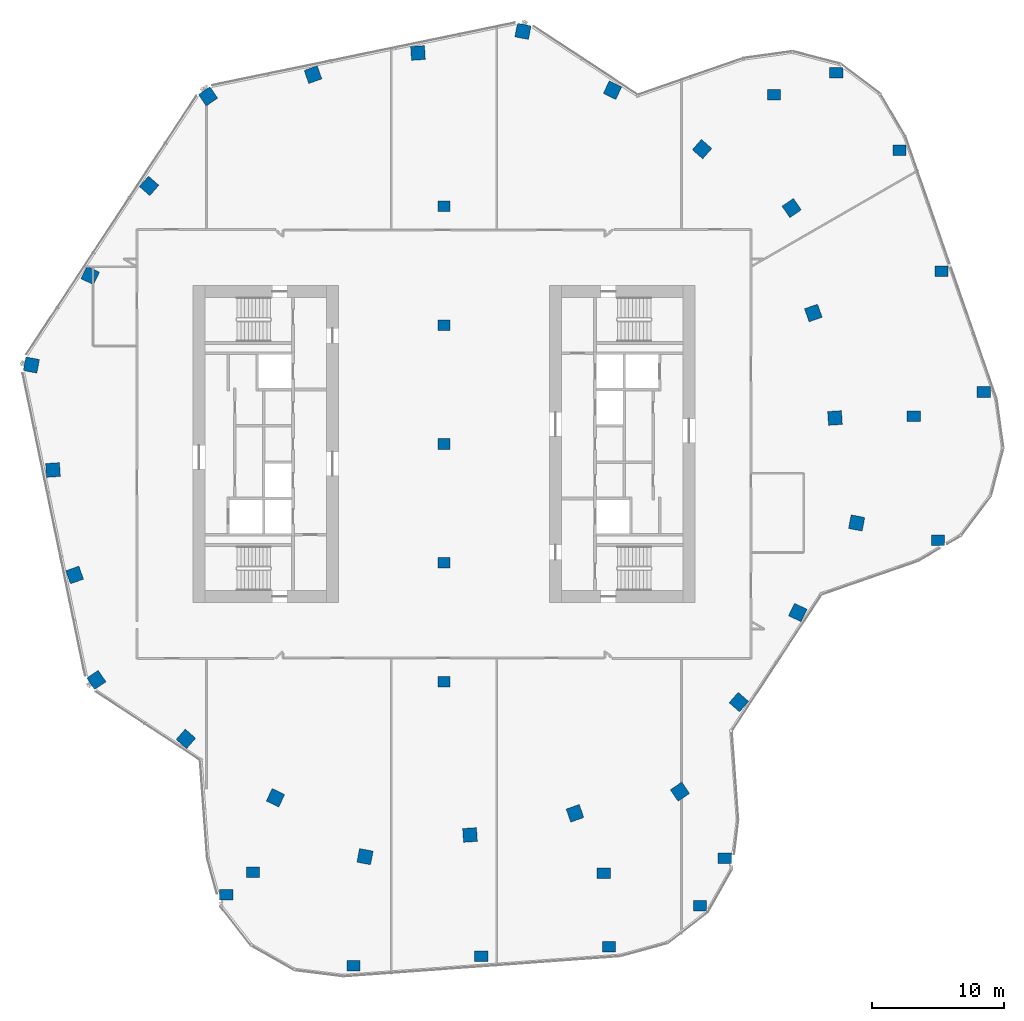
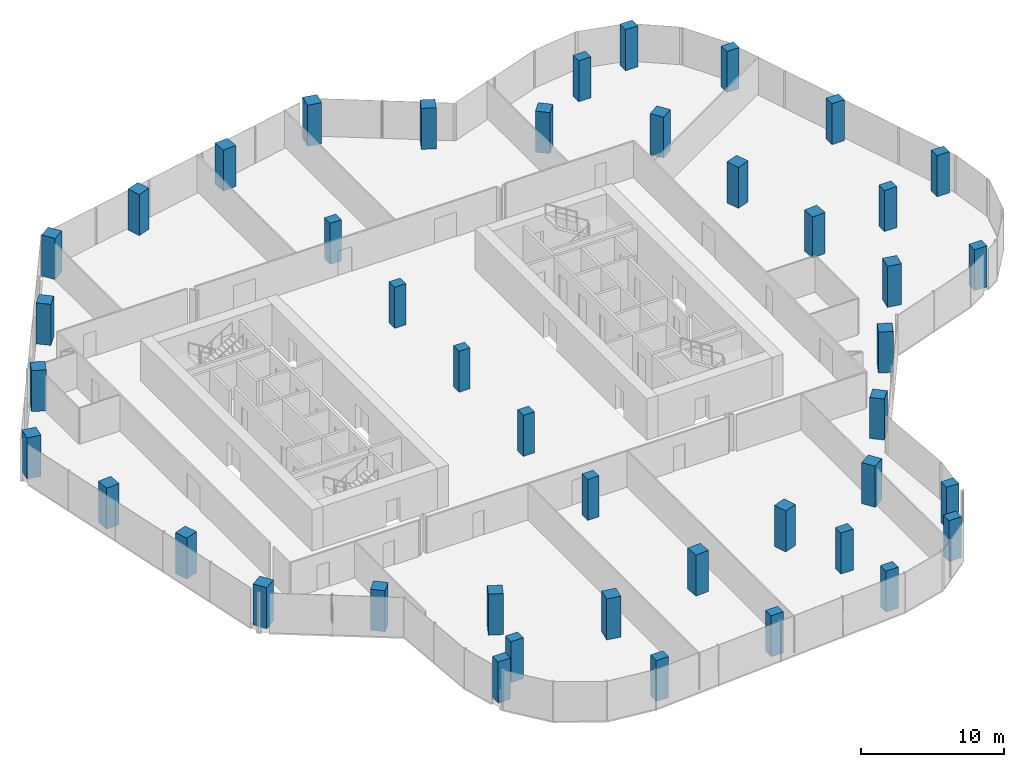
# One storey, part 1 of 24: 44 columns.
"""IFC4 building model written with IfcOpenShell, lengths in metres."""

from ifc_helpers import new_model, si_unit, direction, frame, origin, origin_2d, place, context, subcontext, project, spatial, rectangle, extrude, material, material_profile, profile_set, type_object, element, save


model = new_model("IFC4")

# Units and contexts
model_context = context("Model", 3, precision=1e-05, world=origin(), true_north=direction((0.0, 1.0)))
body_context = subcontext(model_context, "Body", "Model", "MODEL_VIEW")
ifc_project = project(units=[si_unit("LENGTHUNIT", "METRE"), si_unit("AREAUNIT", "SQUARE_METRE"), si_unit("VOLUMEUNIT", "CUBIC_METRE"), si_unit("PLANEANGLEUNIT", "RADIAN"), si_unit("MASSUNIT", "GRAM", prefix="KILO")], contexts=[model_context])

# Site, building, storey
site_placement = place(None, origin())
site = spatial("IfcSite", under=ifc_project, at=site_placement, CompositionType="ELEMENT")
building_placement = place(site_placement, origin())
building = spatial("IfcBuilding", under=site, at=building_placement, Name="Orlundy Tower", CompositionType="ELEMENT")
storey_placement = place(building_placement, frame((0.0, 0.0, 239.0)))
storey = spatial("IfcBuildingStorey", under=building, at=storey_placement, Name="L63", CompositionType="ELEMENT", Elevation=239.0)

# Columns
ifc_material_1 = material(Name="Concrete C60/75", Category="concrete")
ifc_material_profile_1 = material_profile(ifc_material_1, rectangle(XDim=1.0, YDim=0.800048828125, at=origin_2d()), Name="RC1000X800")
ifc_profile_set_1 = profile_set([ifc_material_profile_1], Name="Concrete C60/75")
column_type_1 = type_object("IfcColumnType", Name="RC COLUMN RC1000X800 C60/75", PredefinedType="COLUMN", material=ifc_profile_set_1)
for number, where, z_axis, x_axis, name in (
    (1, (37.423095703125, -7.302001953125, 0.0), (0.0, 0.0, 1.0), (1.0, 0.0, 0.0), "Column C-A1-1 L63"),
    (2, (40.873046875, 3.93798828125, 0.0), (0.0, 0.0, 1.0), (1.0, 0.0, 0.0), "Column C-A2-5 L63"),
    (3, (35.5830078125, 2.09912109375, 0.0), (0.0, 0.0, 1.0), (1.0, 0.0, 0.0), "Column C-A2-6 L63"),
    (4, (37.68798828125, 13.10009765625, 0.0), (0.0, 0.0, 1.0), (1.0, 0.0, 0.0), "Column C-A3-5 L63"),
    (5, (34.50390625, 22.261962890625, 0.0), (0.0, 0.0, 1.0), (1.0, 0.0, 0.0), "Column C-A4-5 L63"),
    (6, (29.7119140625, 28.10595703125, 0.0), (0.0, 0.0, 1.0), (1.0, 0.0, 0.0), "Column C-A5-5 L63"),
    (7, (24.989990234375, 26.465087890625, 0.0), (0.0, 0.0, 1.0), (1.0, 0.0, 0.0), "Column C-A5-6 L63"),
    (8, (-16.4970703125, -34.132080078125, 0.0), (0.0, 0.0, 1.0), (1.0, 0.0, 0.0), "Column C-B1-1 L63"),
    (9, (-14.47509765625, -32.430908203125, 0.0), (0.0, 0.0, 1.0), (1.0, 0.0, 0.0), "Column C-B1-6 L63"),
    (10, (-6.847900390625, -39.501953125, 0.0), (0.0, 0.0, 1.0), (1.0, 0.0, 0.0), "Column C-B2-5 L63"),
    (11, (2.825927734375, -38.797119140625, 0.0), (0.0, 0.0, 1.0), (1.0, 0.0, 0.0), "Column C-B3-5 L63"),
    (12, (12.5009765625, -38.092041015625, 0.0), (0.0, 0.0, 1.0), (1.0, 0.0, 0.0), "Column C-B4-5 L63"),
    (13, (12.093994140625, -32.507080078125, 0.0), (0.0, 0.0, 1.0), (1.0, 0.0, 0.0), "Column C-B4-6 L63"),
    (14, (21.27001953125, -31.3798828125, 0.0), (0.0, 0.0, 1.0), (1.0, 0.0, 0.0), "Column C-B5-1 L63"),
    (15, (19.385986328125, -34.97705078125, 0.0), (0.0, 0.0, 1.0), (1.0, 0.0, 0.0), "Column C-B5-5 L63"),
):
    element("IfcColumn", number, at=place(storey_placement, frame(where, z_axis=z_axis, x_axis=x_axis)), inside=storey, type_object=column_type_1, Name=name, PredefinedType="COLUMN", context=body_context, shape_type="SweptSolid", body=[
        extrude(rectangle(XDim=1.0, YDim=0.800048828125, at=origin_2d()), origin(), (0.0, 0.0, 1.0), 3.5),
    ])
ifc_material_2 = material(Name="Concrete C60/75", Category="concrete")
ifc_material_profile_2 = material_profile(ifc_material_2, rectangle(XDim=1.050048828125, YDim=1.050048828125, at=origin_2d()), Name="RC1050X1050")
ifc_profile_set_2 = profile_set([ifc_material_profile_2], Name="Concrete C60/75")
column_type_2 = type_object("IfcColumnType", Name="RC COLUMN RC1050X1050 C60/75", PredefinedType="COLUMN", material=ifc_profile_set_2)
for number, where, z_axis, x_axis, name in (
    (16, (5.98095703125, 31.2548828125, 0.0), (0.0, 0.0, 1.0), (0.187947040317, 0.982179163919, 0.0), "Column C-H01 L63"),
    (17, (12.763916015625, 26.7939453125, 0.0), (0.0, 0.0, 1.0), (0.430069959039, 0.902795563975, 0.0), "Column C-H02 L63"),
    (18, (19.547119140625, 22.3330078125, 0.0), (0.0, 0.0, 1.0), (0.658610663802, 0.752483882569, 0.0), "Column C-H03 L63"),
    (19, (26.330078125, 17.87109375, 0.0), (0.0, 0.0, 1.0), (0.827413975623, 0.561592479423, 0.0), "Column C-H04 L63"),
    (20, (27.971923828125, 9.9208984375, 0.0), (0.0, 0.0, 1.0), (0.942478249733, 0.334267480891, 0.0), "Column C-H05 L63"),
    (21, (29.613037109375, 1.969970703125, 0.0), (0.0, 0.0, 1.0), (0.997794522634, 0.066378389562, 0.0), "Column C-H06 L63"),
    (22, (31.2548828125, -5.98095703125, 0.0), (0.0, 0.0, 1.0), (0.982179163919, -0.187947040317, 0.0), "Column C-H07 L63"),
    (23, (26.7939453125, -12.763916015625, 0.0), (0.0, 0.0, 1.0), (0.902795563975, -0.430069959039, 0.0), "Column C-H08 L63"),
    (24, (22.3330078125, -19.547119140625, 0.0), (0.0, 0.0, 1.0), (0.752483882569, -0.658610663802, 0.0), "Column C-H09 L63"),
    (25, (17.87109375, -26.330078125, 0.0), (0.0, 0.0, 1.0), (0.561592479423, -0.827413975623, 0.0), "Column C-H10 L63"),
    (26, (9.9208984375, -27.971923828125, 0.0), (0.0, 0.0, 1.0), (0.334267480891, -0.942478249733, 0.0), "Column C-H11 L63"),
    (27, (1.969970703125, -29.613037109375, 0.0), (0.0, 0.0, 1.0), (0.066378389562, -0.997794522634, 0.0), "Column C-H12 L63"),
    (28, (-5.98095703125, -31.2548828125, 0.0), (0.0, 0.0, 1.0), (-0.187947040317, -0.982179163919, 0.0), "Column C-H13 L63"),
    (29, (-12.763916015625, -26.7939453125, 0.0), (0.0, 0.0, 1.0), (-0.430069959039, -0.902795563975, 0.0), "Column C-H14 L63"),
    (30, (-19.547119140625, -22.3330078125, 0.0), (0.0, 0.0, 1.0), (-0.658610663802, -0.752483882569, 0.0), "Column C-H15 L63"),
    (31, (-26.330078125, -17.87109375, 0.0), (0.0, 0.0, 1.0), (-0.827413975623, -0.561592479423, 0.0), "Column C-H16 L63"),
    (32, (-27.971923828125, -9.9208984375, 0.0), (0.0, 0.0, 1.0), (-0.942478249733, -0.334267480891, 0.0), "Column C-H17 L63"),
    (33, (-29.613037109375, -1.969970703125, 0.0), (0.0, 0.0, 1.0), (-0.997794522634, -0.066378389562, 0.0), "Column C-H18 L63"),
    (34, (-31.2548828125, 5.98095703125, 0.0), (0.0, 0.0, 1.0), (-0.982179163919, 0.187947040317, 0.0), "Column C-H19 L63"),
    (35, (-26.7939453125, 12.763916015625, 0.0), (0.0, 0.0, 1.0), (-0.902795563975, 0.430069959039, 0.0), "Column C-H20 L63"),
    (36, (-22.3330078125, 19.547119140625, 0.0), (0.0, 0.0, 1.0), (-0.752483882569, 0.658610663802, 0.0), "Column C-H21 L63"),
    (37, (-17.87109375, 26.330078125, 0.0), (0.0, 0.0, 1.0), (-0.561592479423, 0.827413975623, 0.0), "Column C-H22 L63"),
    (38, (-9.9208984375, 27.971923828125, 0.0), (0.0, 0.0, 1.0), (-0.334267480891, 0.942478249733, 0.0), "Column C-H23 L63"),
    (39, (-1.969970703125, 29.613037109375, 0.0), (0.0, 0.0, 1.0), (-0.066378389562, 0.997794522634, 0.0), "Column C-H24 L63"),
):
    element("IfcColumn", number, at=place(storey_placement, frame(where, z_axis=z_axis, x_axis=x_axis)), inside=storey, type_object=column_type_2, Name=name, PredefinedType="COLUMN", context=body_context, shape_type="SweptSolid", body=[
        extrude(rectangle(XDim=1.050048828125, YDim=1.050048828125, at=origin_2d()), origin(), (0.0, 0.0, 1.0), 3.5),
    ])
ifc_material_3 = material(Name="Concrete C60/75", Category="concrete")
ifc_material_profile_3 = material_profile(ifc_material_3, rectangle(XDim=0.89990234375, YDim=0.800048828125, at=origin_2d()), Name="RC900X800")
ifc_profile_set_3 = profile_set([ifc_material_profile_3], Name="Concrete C60/75")
column_type_3 = type_object("IfcColumnType", Name="RC COLUMN RC900X800 C60/75", PredefinedType="COLUMN", material=ifc_profile_set_3)
for number, where, z_axis, x_axis, name in (
    (40, (0.0, -18.0, 0.0), (0.0, 0.0, 1.0), (1.0, 0.0, 0.0), "Column C-M1 L63"),
    (41, (0.0, -9.0, 0.0), (0.0, 0.0, 1.0), (1.0, 0.0, 0.0), "Column C-M2 L63"),
    (42, (0.0, 0.0, 0.0), (0.0, 0.0, 1.0), (1.0, 0.0, 0.0), "Column C-M3 L63"),
    (43, (0.0, 9.0, 0.0), (0.0, 0.0, 1.0), (1.0, 0.0, 0.0), "Column C-M4 L63"),
    (44, (0.0, 18.0, 0.0), (0.0, 0.0, 1.0), (1.0, 0.0, 0.0), "Column C-M5 L63"),
):
    element("IfcColumn", number, at=place(storey_placement, frame(where, z_axis=z_axis, x_axis=x_axis)), inside=storey, type_object=column_type_3, Name=name, PredefinedType="COLUMN", context=body_context, shape_type="SweptSolid", body=[
        extrude(rectangle(XDim=0.89990234375, YDim=0.800048828125, at=origin_2d()), origin(), (0.0, 0.0, 1.0), 3.5),
    ])

save(model, "model.ifc")
